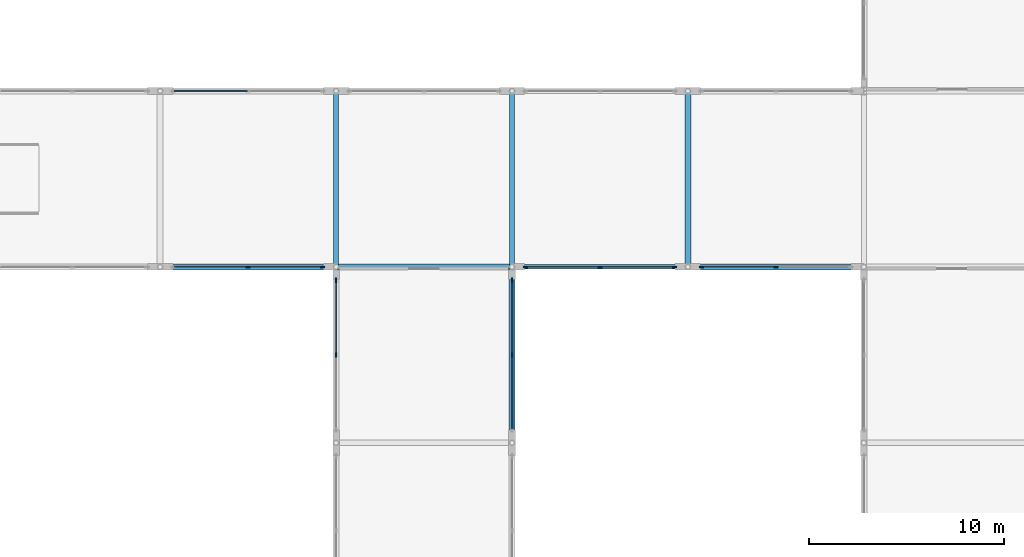
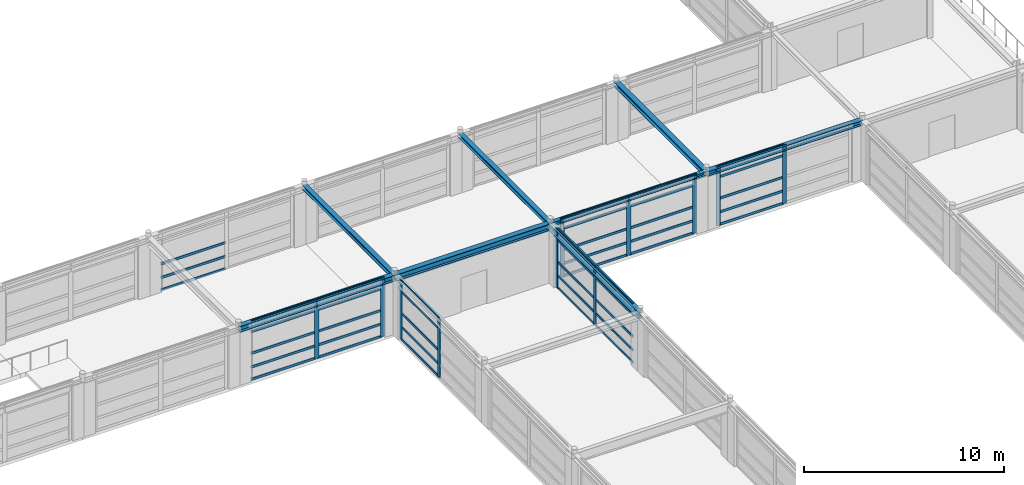
# One storey, part 36 of 79: 54 members, 8 beams, 6 elements without a shape of their own.
"""IFC4 building model written with IfcOpenShell, lengths in metres."""

from ifc_helpers import new_model, si_unit, direction, frame, origin, origin_2d, place, context, subcontext, project, spatial, rectangle, i_section, extrude, material, material_profile, profile_set, type_object, element, aggregate, save


model = new_model("IFC4")

# Units and contexts
model_context = context("Model", 3, precision=1e-05, world=origin(), true_north=direction((0.0, 1.0)))
body_context = subcontext(model_context, "Body", "Model", "MODEL_VIEW")
ifc_project = project(units=[si_unit("LENGTHUNIT", "METRE"), si_unit("AREAUNIT", "SQUARE_METRE"), si_unit("VOLUMEUNIT", "CUBIC_METRE"), si_unit("PLANEANGLEUNIT", "RADIAN"), si_unit("MASSUNIT", "GRAM", prefix="KILO")], contexts=[model_context])

# Site, building, storey
site_placement = place(None, origin())
site = spatial("IfcSite", under=ifc_project, at=site_placement, CompositionType="ELEMENT")
building_placement = place(site_placement, origin())
building = spatial("IfcBuilding", under=site, at=building_placement, Name="Palais des Congres Ocreval", CompositionType="ELEMENT")
storey_placement = place(building_placement, frame((0.0, 0.0, 4.320068359375)))
storey = spatial("IfcBuildingStorey", under=building, at=storey_placement, Name="L01", CompositionType="ELEMENT", Elevation=4.320068359375)

# Curtain wall, members
ifc_material_1 = material(Name="Anodized bronze aluminium and low-E glass", Category="glass")
curtain_wall_type = type_object("IfcCurtainWallType", Name="Unitised Curtain Wall 7900x3660", PredefinedType="USERDEFINED", material=ifc_material_1)
curtain_wall_1_placement = place(storey_placement, origin())
curtain_wall_1 = element("IfcCurtainWall", 1, at=curtain_wall_1_placement, inside=storey, type_object=curtain_wall_type, Name="Unitised Curtain Wall CW02 L01", ObjectType="UNITISED CURTAIN WALL", PredefinedType="USERDEFINED")
ifc_material_2 = material(Name="Anodized bronze aluminium", Category="aluminium")
ifc_material_profile_1 = material_profile(ifc_material_2, rectangle(XDim=0.074951171875, YDim=0.239990234375, at=origin_2d()), Name="ALU 75x240")
ifc_profile_set_1 = profile_set([ifc_material_profile_1], Name="Anodized bronze aluminium")
member_type_1 = type_object("IfcMemberType", Name="Curtain Wall Mullion ALU 75x240", PredefinedType="MULLION", material=ifc_profile_set_1)
member_1_placement = place(storey_placement, frame((94.5, 72.0, 0.0), z_axis=(0.0, 0.0, 1.0), x_axis=(0.0, -1.0, 0.0)))
member_1 = element("IfcMember", 2, at=member_1_placement, type_object=member_type_1, Name="Curtain Wall Mullion ML01", PredefinedType="MULLION", context=body_context, shape_type="SweptSolid", body=[
    extrude(rectangle(XDim=0.074951171875, YDim=0.239990234375, at=origin_2d()), origin(), (0.0, 0.0, 1.0), 3.58984375),
])
member_2_placement = place(storey_placement, frame((90.6875, 72.0, 0.0), z_axis=(0.0, 0.0, 1.0), x_axis=(0.0, -1.0, 0.0)))
member_2 = element("IfcMember", 3, at=member_2_placement, type_object=member_type_1, Name="Curtain Wall Mullion ML01", PredefinedType="MULLION", context=body_context, shape_type="SweptSolid", body=[
    extrude(rectangle(XDim=0.074951171875, YDim=0.239990234375, at=origin_2d()), origin(), (0.0, 0.0, 1.0), 3.58984375),
])

curtain_wall_2_placement = place(storey_placement, origin())
curtain_wall_2 = element("IfcCurtainWall", 4, at=curtain_wall_2_placement, inside=storey, type_object=curtain_wall_type, Name="Unitised Curtain Wall CW02 L01", ObjectType="UNITISED CURTAIN WALL", PredefinedType="USERDEFINED")
member_3_placement = place(storey_placement, frame((89.3125, 72.0, 0.0), z_axis=(0.0, 0.0, 1.0), x_axis=(0.0, -1.0, 0.0)))
member_3 = element("IfcMember", 5, at=member_3_placement, type_object=member_type_1, Name="Curtain Wall Mullion ML01", PredefinedType="MULLION", context=body_context, shape_type="SweptSolid", body=[
    extrude(rectangle(XDim=0.074951171875, YDim=0.239990234375, at=origin_2d()), origin(), (0.0, 0.0, 1.0), 3.58984375),
])
member_4_placement = place(storey_placement, frame((85.5, 72.0, 0.0), z_axis=(0.0, 0.0, 1.0), x_axis=(0.0, -1.0, 0.0)))
member_4 = element("IfcMember", 6, at=member_4_placement, type_object=member_type_1, Name="Curtain Wall Mullion ML01", PredefinedType="MULLION", context=body_context, shape_type="SweptSolid", body=[
    extrude(rectangle(XDim=0.074951171875, YDim=0.239990234375, at=origin_2d()), origin(), (0.0, 0.0, 1.0), 3.58984375),
])
member_5_placement = place(storey_placement, frame((81.6875, 72.0, 0.0), z_axis=(0.0, 0.0, 1.0), x_axis=(0.0, -1.0, 0.0)))
member_5 = element("IfcMember", 7, at=member_5_placement, type_object=member_type_1, Name="Curtain Wall Mullion ML01", PredefinedType="MULLION", context=body_context, shape_type="SweptSolid", body=[
    extrude(rectangle(XDim=0.074951171875, YDim=0.239990234375, at=origin_2d()), origin(), (0.0, 0.0, 1.0), 3.58984375),
])

curtain_wall_3_placement = place(storey_placement, origin())
curtain_wall_3 = element("IfcCurtainWall", 8, at=curtain_wall_3_placement, inside=storey, type_object=curtain_wall_type, Name="Unitised Curtain Wall CW02 L01", ObjectType="UNITISED CURTAIN WALL", PredefinedType="USERDEFINED")
member_6_placement = place(storey_placement, frame((81.0, 71.3125, 0.0), z_axis=(0.0, 0.0, 1.0), x_axis=(1.0, 0.0, 0.0)))
member_6 = element("IfcMember", 9, at=member_6_placement, type_object=member_type_1, Name="Curtain Wall Mullion ML01", PredefinedType="MULLION", context=body_context, shape_type="SweptSolid", body=[
    extrude(rectangle(XDim=0.074951171875, YDim=0.239990234375, at=origin_2d()), origin(), (0.0, 0.0, 1.0), 3.58984375),
])
member_7_placement = place(storey_placement, frame((81.0, 67.5, 0.0), z_axis=(0.0, 0.0, 1.0), x_axis=(1.0, 0.0, 0.0)))
member_7 = element("IfcMember", 10, at=member_7_placement, type_object=member_type_1, Name="Curtain Wall Mullion ML01", PredefinedType="MULLION", context=body_context, shape_type="SweptSolid", body=[
    extrude(rectangle(XDim=0.074951171875, YDim=0.239990234375, at=origin_2d()), origin(), (0.0, 0.0, 1.0), 3.58984375),
])

curtain_wall_4_placement = place(storey_placement, origin())
curtain_wall_4 = element("IfcCurtainWall", 11, at=curtain_wall_4_placement, inside=storey, type_object=curtain_wall_type, Name="Unitised Curtain Wall CW02 L01", ObjectType="UNITISED CURTAIN WALL", PredefinedType="USERDEFINED")
member_8_placement = place(storey_placement, frame((72.0, 67.5, 0.0), z_axis=(0.0, 0.0, 1.0), x_axis=(-1.0, 0.0, 0.0)))
member_8 = element("IfcMember", 12, at=member_8_placement, type_object=member_type_1, Name="Curtain Wall Mullion ML01", PredefinedType="MULLION", context=body_context, shape_type="SweptSolid", body=[
    extrude(rectangle(XDim=0.074951171875, YDim=0.239990234375, at=origin_2d()), origin(), (0.0, 0.0, 1.0), 3.58984375),
])
member_9_placement = place(storey_placement, frame((72.0, 71.3125, 0.0), z_axis=(0.0, 0.0, 1.0), x_axis=(-1.0, 0.0, 0.0)))
member_9 = element("IfcMember", 13, at=member_9_placement, type_object=member_type_1, Name="Curtain Wall Mullion ML01", PredefinedType="MULLION", context=body_context, shape_type="SweptSolid", body=[
    extrude(rectangle(XDim=0.074951171875, YDim=0.239990234375, at=origin_2d()), origin(), (0.0, 0.0, 1.0), 3.58984375),
])

curtain_wall_5_placement = place(storey_placement, origin())
curtain_wall_5 = element("IfcCurtainWall", 14, at=curtain_wall_5_placement, inside=storey, type_object=curtain_wall_type, Name="Unitised Curtain Wall CW02 L01", ObjectType="UNITISED CURTAIN WALL", PredefinedType="USERDEFINED")
member_10_placement = place(storey_placement, frame((71.3125, 72.0, 0.0), z_axis=(0.0, 0.0, 1.0), x_axis=(0.0, -1.0, 0.0)))
member_10 = element("IfcMember", 15, at=member_10_placement, type_object=member_type_1, Name="Curtain Wall Mullion ML01", PredefinedType="MULLION", context=body_context, shape_type="SweptSolid", body=[
    extrude(rectangle(XDim=0.074951171875, YDim=0.239990234375, at=origin_2d()), origin(), (0.0, 0.0, 1.0), 3.58984375),
])
member_11_placement = place(storey_placement, frame((67.5, 72.0, 0.0), z_axis=(0.0, 0.0, 1.0), x_axis=(0.0, -1.0, 0.0)))
member_11 = element("IfcMember", 16, at=member_11_placement, type_object=member_type_1, Name="Curtain Wall Mullion ML01", PredefinedType="MULLION", context=body_context, shape_type="SweptSolid", body=[
    extrude(rectangle(XDim=0.074951171875, YDim=0.239990234375, at=origin_2d()), origin(), (0.0, 0.0, 1.0), 3.58984375),
])

curtain_wall_6_placement = place(storey_placement, origin())
curtain_wall_6 = element("IfcCurtainWall", 17, at=curtain_wall_6_placement, inside=storey, type_object=curtain_wall_type, Name="Unitised Curtain Wall CW02 L01", ObjectType="UNITISED CURTAIN WALL", PredefinedType="USERDEFINED")
ifc_material_profile_2 = material_profile(ifc_material_2, rectangle(XDim=0.06005859375, YDim=0.14990234375, at=origin_2d()), Name="ALU 60x150")
ifc_profile_set_2 = profile_set([ifc_material_profile_2], Name="Anodized bronze aluminium")
member_type_2 = type_object("IfcMemberType", Name="Curtain Wall Transom ALU 60x150", PredefinedType="USERDEFINED", material=ifc_profile_set_2)
member_12_placement = place(storey_placement, frame((63.72509765625, 81.0, 0.030029296875), z_axis=(1.0, 0.0, 0.0), x_axis=(0.0, 1.0, 0.0)))
member_12 = element("IfcMember", 18, at=member_12_placement, type_object=member_type_2, Name="Curtain Wall Transom TR01", ObjectType="TRANSOM", PredefinedType="USERDEFINED", context=body_context, shape_type="SweptSolid", body=[
    extrude(rectangle(XDim=0.06005859375, YDim=0.14990234375, at=origin_2d()), origin(), (0.0, 0.0, 1.0), 3.7373046875),
])
member_13_placement = place(storey_placement, frame((63.72509765625, 81.0, 0.780029296875), z_axis=(1.0, 0.0, 0.0), x_axis=(0.0, 1.0, 0.0)))
member_13 = element("IfcMember", 19, at=member_13_placement, type_object=member_type_2, Name="Curtain Wall Transom TR01", ObjectType="TRANSOM", PredefinedType="USERDEFINED", context=body_context, shape_type="SweptSolid", body=[
    extrude(rectangle(XDim=0.06005859375, YDim=0.14990234375, at=origin_2d()), origin(), (0.0, 0.0, 1.0), 3.7373046875),
])
member_14_placement = place(storey_placement, frame((63.72509765625, 81.0, 1.616943359375), z_axis=(1.0, 0.0, 0.0), x_axis=(0.0, 1.0, 0.0)))
member_14 = element("IfcMember", 20, at=member_14_placement, type_object=member_type_2, Name="Curtain Wall Transom TR01", ObjectType="TRANSOM", PredefinedType="USERDEFINED", context=body_context, shape_type="SweptSolid", body=[
    extrude(rectangle(XDim=0.06005859375, YDim=0.14990234375, at=origin_2d()), origin(), (0.0, 0.0, 1.0), 3.7373046875),
])
aggregate(curtain_wall_6, [member_12, member_13, member_14])

# Member
member_15_placement = place(storey_placement, frame((94.46240234375, 72.0, 0.030029296875), z_axis=(-1.0, 0.0, 0.0), x_axis=(0.0, -1.0, 0.0)))
member_15 = element("IfcMember", 21, at=member_15_placement, type_object=member_type_2, Name="Curtain Wall Transom TR01", ObjectType="TRANSOM", PredefinedType="USERDEFINED", context=body_context, shape_type="SweptSolid", body=[
    extrude(rectangle(XDim=0.06005859375, YDim=0.14990234375, at=origin_2d()), origin(), (0.0, 0.0, 1.0), 3.7373046875),
])

member_16_placement = place(storey_placement, frame((94.46240234375, 72.0, 0.780029296875), z_axis=(-1.0, 0.0, 0.0), x_axis=(0.0, -1.0, 0.0)))
member_16 = element("IfcMember", 22, at=member_16_placement, type_object=member_type_2, Name="Curtain Wall Transom TR01", ObjectType="TRANSOM", PredefinedType="USERDEFINED", context=body_context, shape_type="SweptSolid", body=[
    extrude(rectangle(XDim=0.06005859375, YDim=0.14990234375, at=origin_2d()), origin(), (0.0, 0.0, 1.0), 3.7373046875),
])

member_17_placement = place(storey_placement, frame((94.46240234375, 72.0, 1.616943359375), z_axis=(-1.0, 0.0, 0.0), x_axis=(0.0, -1.0, 0.0)))
member_17 = element("IfcMember", 23, at=member_17_placement, type_object=member_type_2, Name="Curtain Wall Transom TR01", ObjectType="TRANSOM", PredefinedType="USERDEFINED", context=body_context, shape_type="SweptSolid", body=[
    extrude(rectangle(XDim=0.06005859375, YDim=0.14990234375, at=origin_2d()), origin(), (0.0, 0.0, 1.0), 3.7373046875),
])

member_18_placement = place(storey_placement, frame((94.46240234375, 72.0, 2.93994140625), z_axis=(-1.0, 0.0, 0.0), x_axis=(0.0, -1.0, 0.0)))
member_18 = element("IfcMember", 24, at=member_18_placement, type_object=member_type_2, Name="Curtain Wall Transom TR01", ObjectType="TRANSOM", PredefinedType="USERDEFINED", context=body_context, shape_type="SweptSolid", body=[
    extrude(rectangle(XDim=0.06005859375, YDim=0.14990234375, at=origin_2d()), origin(), (0.0, 0.0, 1.0), 3.7373046875),
])

member_19_placement = place(storey_placement, frame((94.46240234375, 72.0, 3.559814453125), z_axis=(-1.0, 0.0, 0.0), x_axis=(0.0, -1.0, 0.0)))
member_19 = element("IfcMember", 25, at=member_19_placement, type_object=member_type_2, Name="Curtain Wall Transom TR01", ObjectType="TRANSOM", PredefinedType="USERDEFINED", context=body_context, shape_type="SweptSolid", body=[
    extrude(rectangle(XDim=0.06005859375, YDim=0.14990234375, at=origin_2d()), origin(), (0.0, 0.0, 1.0), 3.7373046875),
])

aggregate(curtain_wall_1, [member_1, member_2, member_15, member_16, member_17, member_18, member_19])

member_20_placement = place(storey_placement, frame((89.27490234375, 72.0, 0.030029296875), z_axis=(-1.0, 0.0, 0.0), x_axis=(0.0, -1.0, 0.0)))
member_20 = element("IfcMember", 26, at=member_20_placement, type_object=member_type_2, Name="Curtain Wall Transom TR01", ObjectType="TRANSOM", PredefinedType="USERDEFINED", context=body_context, shape_type="SweptSolid", body=[
    extrude(rectangle(XDim=0.06005859375, YDim=0.14990234375, at=origin_2d()), origin(), (0.0, 0.0, 1.0), 3.7373046875),
])

member_21_placement = place(storey_placement, frame((89.27490234375, 72.0, 0.780029296875), z_axis=(-1.0, 0.0, 0.0), x_axis=(0.0, -1.0, 0.0)))
member_21 = element("IfcMember", 27, at=member_21_placement, type_object=member_type_2, Name="Curtain Wall Transom TR01", ObjectType="TRANSOM", PredefinedType="USERDEFINED", context=body_context, shape_type="SweptSolid", body=[
    extrude(rectangle(XDim=0.06005859375, YDim=0.14990234375, at=origin_2d()), origin(), (0.0, 0.0, 1.0), 3.7373046875),
])

member_22_placement = place(storey_placement, frame((89.27490234375, 72.0, 1.616943359375), z_axis=(-1.0, 0.0, 0.0), x_axis=(0.0, -1.0, 0.0)))
member_22 = element("IfcMember", 28, at=member_22_placement, type_object=member_type_2, Name="Curtain Wall Transom TR01", ObjectType="TRANSOM", PredefinedType="USERDEFINED", context=body_context, shape_type="SweptSolid", body=[
    extrude(rectangle(XDim=0.06005859375, YDim=0.14990234375, at=origin_2d()), origin(), (0.0, 0.0, 1.0), 3.7373046875),
])

member_23_placement = place(storey_placement, frame((89.27490234375, 72.0, 2.93994140625), z_axis=(-1.0, 0.0, 0.0), x_axis=(0.0, -1.0, 0.0)))
member_23 = element("IfcMember", 29, at=member_23_placement, type_object=member_type_2, Name="Curtain Wall Transom TR01", ObjectType="TRANSOM", PredefinedType="USERDEFINED", context=body_context, shape_type="SweptSolid", body=[
    extrude(rectangle(XDim=0.06005859375, YDim=0.14990234375, at=origin_2d()), origin(), (0.0, 0.0, 1.0), 3.7373046875),
])

member_24_placement = place(storey_placement, frame((89.27490234375, 72.0, 3.559814453125), z_axis=(-1.0, 0.0, 0.0), x_axis=(0.0, -1.0, 0.0)))
member_24 = element("IfcMember", 30, at=member_24_placement, type_object=member_type_2, Name="Curtain Wall Transom TR01", ObjectType="TRANSOM", PredefinedType="USERDEFINED", context=body_context, shape_type="SweptSolid", body=[
    extrude(rectangle(XDim=0.06005859375, YDim=0.14990234375, at=origin_2d()), origin(), (0.0, 0.0, 1.0), 3.7373046875),
])

member_25_placement = place(storey_placement, frame((85.46240234375, 72.0, 0.030029296875), z_axis=(-1.0, 0.0, 0.0), x_axis=(0.0, -1.0, 0.0)))
member_25 = element("IfcMember", 31, at=member_25_placement, type_object=member_type_2, Name="Curtain Wall Transom TR01", ObjectType="TRANSOM", PredefinedType="USERDEFINED", context=body_context, shape_type="SweptSolid", body=[
    extrude(rectangle(XDim=0.06005859375, YDim=0.14990234375, at=origin_2d()), origin(), (0.0, 0.0, 1.0), 3.7373046875),
])

member_26_placement = place(storey_placement, frame((85.46240234375, 72.0, 0.780029296875), z_axis=(-1.0, 0.0, 0.0), x_axis=(0.0, -1.0, 0.0)))
member_26 = element("IfcMember", 32, at=member_26_placement, type_object=member_type_2, Name="Curtain Wall Transom TR01", ObjectType="TRANSOM", PredefinedType="USERDEFINED", context=body_context, shape_type="SweptSolid", body=[
    extrude(rectangle(XDim=0.06005859375, YDim=0.14990234375, at=origin_2d()), origin(), (0.0, 0.0, 1.0), 3.7373046875),
])

member_27_placement = place(storey_placement, frame((85.46240234375, 72.0, 1.616943359375), z_axis=(-1.0, 0.0, 0.0), x_axis=(0.0, -1.0, 0.0)))
member_27 = element("IfcMember", 33, at=member_27_placement, type_object=member_type_2, Name="Curtain Wall Transom TR01", ObjectType="TRANSOM", PredefinedType="USERDEFINED", context=body_context, shape_type="SweptSolid", body=[
    extrude(rectangle(XDim=0.06005859375, YDim=0.14990234375, at=origin_2d()), origin(), (0.0, 0.0, 1.0), 3.7373046875),
])

member_28_placement = place(storey_placement, frame((85.46240234375, 72.0, 2.93994140625), z_axis=(-1.0, 0.0, 0.0), x_axis=(0.0, -1.0, 0.0)))
member_28 = element("IfcMember", 34, at=member_28_placement, type_object=member_type_2, Name="Curtain Wall Transom TR01", ObjectType="TRANSOM", PredefinedType="USERDEFINED", context=body_context, shape_type="SweptSolid", body=[
    extrude(rectangle(XDim=0.06005859375, YDim=0.14990234375, at=origin_2d()), origin(), (0.0, 0.0, 1.0), 3.7373046875),
])

member_29_placement = place(storey_placement, frame((85.46240234375, 72.0, 3.559814453125), z_axis=(-1.0, 0.0, 0.0), x_axis=(0.0, -1.0, 0.0)))
member_29 = element("IfcMember", 35, at=member_29_placement, type_object=member_type_2, Name="Curtain Wall Transom TR01", ObjectType="TRANSOM", PredefinedType="USERDEFINED", context=body_context, shape_type="SweptSolid", body=[
    extrude(rectangle(XDim=0.06005859375, YDim=0.14990234375, at=origin_2d()), origin(), (0.0, 0.0, 1.0), 3.7373046875),
])

aggregate(curtain_wall_2, [member_3, member_4, member_5, member_20, member_21, member_22, member_23, member_24, member_25, member_26, member_27, member_28, member_29])

member_30_placement = place(storey_placement, frame((81.0, 71.27490234375, 0.030029296875), z_axis=(0.0, -1.0, 0.0), x_axis=(1.0, 0.0, 0.0)))
member_30 = element("IfcMember", 36, at=member_30_placement, type_object=member_type_2, Name="Curtain Wall Transom TR01", ObjectType="TRANSOM", PredefinedType="USERDEFINED", context=body_context, shape_type="SweptSolid", body=[
    extrude(rectangle(XDim=0.06005859375, YDim=0.14990234375, at=origin_2d()), origin(), (0.0, 0.0, 1.0), 3.7373046875),
])

member_31_placement = place(storey_placement, frame((81.0, 71.27490234375, 0.780029296875), z_axis=(0.0, -1.0, 0.0), x_axis=(1.0, 0.0, 0.0)))
member_31 = element("IfcMember", 37, at=member_31_placement, type_object=member_type_2, Name="Curtain Wall Transom TR01", ObjectType="TRANSOM", PredefinedType="USERDEFINED", context=body_context, shape_type="SweptSolid", body=[
    extrude(rectangle(XDim=0.06005859375, YDim=0.14990234375, at=origin_2d()), origin(), (0.0, 0.0, 1.0), 3.7373046875),
])

member_32_placement = place(storey_placement, frame((81.0, 71.27490234375, 1.616943359375), z_axis=(0.0, -1.0, 0.0), x_axis=(1.0, 0.0, 0.0)))
member_32 = element("IfcMember", 38, at=member_32_placement, type_object=member_type_2, Name="Curtain Wall Transom TR01", ObjectType="TRANSOM", PredefinedType="USERDEFINED", context=body_context, shape_type="SweptSolid", body=[
    extrude(rectangle(XDim=0.06005859375, YDim=0.14990234375, at=origin_2d()), origin(), (0.0, 0.0, 1.0), 3.7373046875),
])

member_33_placement = place(storey_placement, frame((81.0, 71.27490234375, 2.93994140625), z_axis=(0.0, -1.0, 0.0), x_axis=(1.0, 0.0, 0.0)))
member_33 = element("IfcMember", 39, at=member_33_placement, type_object=member_type_2, Name="Curtain Wall Transom TR01", ObjectType="TRANSOM", PredefinedType="USERDEFINED", context=body_context, shape_type="SweptSolid", body=[
    extrude(rectangle(XDim=0.06005859375, YDim=0.14990234375, at=origin_2d()), origin(), (0.0, 0.0, 1.0), 3.7373046875),
])

member_34_placement = place(storey_placement, frame((81.0, 71.27490234375, 3.559814453125), z_axis=(0.0, -1.0, 0.0), x_axis=(1.0, 0.0, 0.0)))
member_34 = element("IfcMember", 40, at=member_34_placement, type_object=member_type_2, Name="Curtain Wall Transom TR01", ObjectType="TRANSOM", PredefinedType="USERDEFINED", context=body_context, shape_type="SweptSolid", body=[
    extrude(rectangle(XDim=0.06005859375, YDim=0.14990234375, at=origin_2d()), origin(), (0.0, 0.0, 1.0), 3.7373046875),
])

member_35_placement = place(storey_placement, frame((81.0, 67.46240234375, 0.030029296875), z_axis=(0.0, -1.0, 0.0), x_axis=(1.0, 0.0, 0.0)))
member_35 = element("IfcMember", 41, at=member_35_placement, type_object=member_type_2, Name="Curtain Wall Transom TR01", ObjectType="TRANSOM", PredefinedType="USERDEFINED", context=body_context, shape_type="SweptSolid", body=[
    extrude(rectangle(XDim=0.06005859375, YDim=0.14990234375, at=origin_2d()), origin(), (0.0, 0.0, 1.0), 3.7373046875),
])

member_36_placement = place(storey_placement, frame((81.0, 67.46240234375, 0.780029296875), z_axis=(0.0, -1.0, 0.0), x_axis=(1.0, 0.0, 0.0)))
member_36 = element("IfcMember", 42, at=member_36_placement, type_object=member_type_2, Name="Curtain Wall Transom TR01", ObjectType="TRANSOM", PredefinedType="USERDEFINED", context=body_context, shape_type="SweptSolid", body=[
    extrude(rectangle(XDim=0.06005859375, YDim=0.14990234375, at=origin_2d()), origin(), (0.0, 0.0, 1.0), 3.7373046875),
])

member_37_placement = place(storey_placement, frame((81.0, 67.46240234375, 1.616943359375), z_axis=(0.0, -1.0, 0.0), x_axis=(1.0, 0.0, 0.0)))
member_37 = element("IfcMember", 43, at=member_37_placement, type_object=member_type_2, Name="Curtain Wall Transom TR01", ObjectType="TRANSOM", PredefinedType="USERDEFINED", context=body_context, shape_type="SweptSolid", body=[
    extrude(rectangle(XDim=0.06005859375, YDim=0.14990234375, at=origin_2d()), origin(), (0.0, 0.0, 1.0), 3.7373046875),
])

member_38_placement = place(storey_placement, frame((81.0, 67.46240234375, 2.93994140625), z_axis=(0.0, -1.0, 0.0), x_axis=(1.0, 0.0, 0.0)))
member_38 = element("IfcMember", 44, at=member_38_placement, type_object=member_type_2, Name="Curtain Wall Transom TR01", ObjectType="TRANSOM", PredefinedType="USERDEFINED", context=body_context, shape_type="SweptSolid", body=[
    extrude(rectangle(XDim=0.06005859375, YDim=0.14990234375, at=origin_2d()), origin(), (0.0, 0.0, 1.0), 3.7373046875),
])

member_39_placement = place(storey_placement, frame((81.0, 67.46240234375, 3.559814453125), z_axis=(0.0, -1.0, 0.0), x_axis=(1.0, 0.0, 0.0)))
member_39 = element("IfcMember", 45, at=member_39_placement, type_object=member_type_2, Name="Curtain Wall Transom TR01", ObjectType="TRANSOM", PredefinedType="USERDEFINED", context=body_context, shape_type="SweptSolid", body=[
    extrude(rectangle(XDim=0.06005859375, YDim=0.14990234375, at=origin_2d()), origin(), (0.0, 0.0, 1.0), 3.7373046875),
])

aggregate(curtain_wall_3, [member_6, member_7, member_30, member_31, member_32, member_33, member_34, member_35, member_36, member_37, member_38, member_39])

member_40_placement = place(storey_placement, frame((72.0, 67.53759765625, 0.030029296875), z_axis=(0.0, 1.0, 0.0), x_axis=(-1.0, 0.0, 0.0)))
member_40 = element("IfcMember", 46, at=member_40_placement, type_object=member_type_2, Name="Curtain Wall Transom TR01", ObjectType="TRANSOM", PredefinedType="USERDEFINED", context=body_context, shape_type="SweptSolid", body=[
    extrude(rectangle(XDim=0.06005859375, YDim=0.14990234375, at=origin_2d()), origin(), (0.0, 0.0, 1.0), 3.7373046875),
])

member_41_placement = place(storey_placement, frame((72.0, 67.53759765625, 0.780029296875), z_axis=(0.0, 1.0, 0.0), x_axis=(-1.0, 0.0, 0.0)))
member_41 = element("IfcMember", 47, at=member_41_placement, type_object=member_type_2, Name="Curtain Wall Transom TR01", ObjectType="TRANSOM", PredefinedType="USERDEFINED", context=body_context, shape_type="SweptSolid", body=[
    extrude(rectangle(XDim=0.06005859375, YDim=0.14990234375, at=origin_2d()), origin(), (0.0, 0.0, 1.0), 3.7373046875),
])

member_42_placement = place(storey_placement, frame((72.0, 67.53759765625, 1.616943359375), z_axis=(0.0, 1.0, 0.0), x_axis=(-1.0, 0.0, 0.0)))
member_42 = element("IfcMember", 48, at=member_42_placement, type_object=member_type_2, Name="Curtain Wall Transom TR01", ObjectType="TRANSOM", PredefinedType="USERDEFINED", context=body_context, shape_type="SweptSolid", body=[
    extrude(rectangle(XDim=0.06005859375, YDim=0.14990234375, at=origin_2d()), origin(), (0.0, 0.0, 1.0), 3.7373046875),
])

member_43_placement = place(storey_placement, frame((72.0, 67.53759765625, 2.93994140625), z_axis=(0.0, 1.0, 0.0), x_axis=(-1.0, 0.0, 0.0)))
member_43 = element("IfcMember", 49, at=member_43_placement, type_object=member_type_2, Name="Curtain Wall Transom TR01", ObjectType="TRANSOM", PredefinedType="USERDEFINED", context=body_context, shape_type="SweptSolid", body=[
    extrude(rectangle(XDim=0.06005859375, YDim=0.14990234375, at=origin_2d()), origin(), (0.0, 0.0, 1.0), 3.7373046875),
])

member_44_placement = place(storey_placement, frame((72.0, 67.53759765625, 3.559814453125), z_axis=(0.0, 1.0, 0.0), x_axis=(-1.0, 0.0, 0.0)))
member_44 = element("IfcMember", 50, at=member_44_placement, type_object=member_type_2, Name="Curtain Wall Transom TR01", ObjectType="TRANSOM", PredefinedType="USERDEFINED", context=body_context, shape_type="SweptSolid", body=[
    extrude(rectangle(XDim=0.06005859375, YDim=0.14990234375, at=origin_2d()), origin(), (0.0, 0.0, 1.0), 3.7373046875),
])

aggregate(curtain_wall_4, [member_8, member_9, member_40, member_41, member_42, member_43, member_44])

member_45_placement = place(storey_placement, frame((71.27490234375, 72.0, 0.030029296875), z_axis=(-1.0, 0.0, 0.0), x_axis=(0.0, -1.0, 0.0)))
member_45 = element("IfcMember", 51, at=member_45_placement, type_object=member_type_2, Name="Curtain Wall Transom TR01", ObjectType="TRANSOM", PredefinedType="USERDEFINED", context=body_context, shape_type="SweptSolid", body=[
    extrude(rectangle(XDim=0.06005859375, YDim=0.14990234375, at=origin_2d()), origin(), (0.0, 0.0, 1.0), 3.7373046875),
])

member_46_placement = place(storey_placement, frame((71.27490234375, 72.0, 0.780029296875), z_axis=(-1.0, 0.0, 0.0), x_axis=(0.0, -1.0, 0.0)))
member_46 = element("IfcMember", 52, at=member_46_placement, type_object=member_type_2, Name="Curtain Wall Transom TR01", ObjectType="TRANSOM", PredefinedType="USERDEFINED", context=body_context, shape_type="SweptSolid", body=[
    extrude(rectangle(XDim=0.06005859375, YDim=0.14990234375, at=origin_2d()), origin(), (0.0, 0.0, 1.0), 3.7373046875),
])

member_47_placement = place(storey_placement, frame((71.27490234375, 72.0, 1.616943359375), z_axis=(-1.0, 0.0, 0.0), x_axis=(0.0, -1.0, 0.0)))
member_47 = element("IfcMember", 53, at=member_47_placement, type_object=member_type_2, Name="Curtain Wall Transom TR01", ObjectType="TRANSOM", PredefinedType="USERDEFINED", context=body_context, shape_type="SweptSolid", body=[
    extrude(rectangle(XDim=0.06005859375, YDim=0.14990234375, at=origin_2d()), origin(), (0.0, 0.0, 1.0), 3.7373046875),
])

member_48_placement = place(storey_placement, frame((71.27490234375, 72.0, 2.93994140625), z_axis=(-1.0, 0.0, 0.0), x_axis=(0.0, -1.0, 0.0)))
member_48 = element("IfcMember", 54, at=member_48_placement, type_object=member_type_2, Name="Curtain Wall Transom TR01", ObjectType="TRANSOM", PredefinedType="USERDEFINED", context=body_context, shape_type="SweptSolid", body=[
    extrude(rectangle(XDim=0.06005859375, YDim=0.14990234375, at=origin_2d()), origin(), (0.0, 0.0, 1.0), 3.7373046875),
])

member_49_placement = place(storey_placement, frame((71.27490234375, 72.0, 3.559814453125), z_axis=(-1.0, 0.0, 0.0), x_axis=(0.0, -1.0, 0.0)))
member_49 = element("IfcMember", 55, at=member_49_placement, type_object=member_type_2, Name="Curtain Wall Transom TR01", ObjectType="TRANSOM", PredefinedType="USERDEFINED", context=body_context, shape_type="SweptSolid", body=[
    extrude(rectangle(XDim=0.06005859375, YDim=0.14990234375, at=origin_2d()), origin(), (0.0, 0.0, 1.0), 3.7373046875),
])

member_50_placement = place(storey_placement, frame((67.46240234375, 72.0, 0.030029296875), z_axis=(-1.0, 0.0, 0.0), x_axis=(0.0, -1.0, 0.0)))
member_50 = element("IfcMember", 56, at=member_50_placement, type_object=member_type_2, Name="Curtain Wall Transom TR01", ObjectType="TRANSOM", PredefinedType="USERDEFINED", context=body_context, shape_type="SweptSolid", body=[
    extrude(rectangle(XDim=0.06005859375, YDim=0.14990234375, at=origin_2d()), origin(), (0.0, 0.0, 1.0), 3.7373046875),
])

member_51_placement = place(storey_placement, frame((67.46240234375, 72.0, 0.780029296875), z_axis=(-1.0, 0.0, 0.0), x_axis=(0.0, -1.0, 0.0)))
member_51 = element("IfcMember", 57, at=member_51_placement, type_object=member_type_2, Name="Curtain Wall Transom TR01", ObjectType="TRANSOM", PredefinedType="USERDEFINED", context=body_context, shape_type="SweptSolid", body=[
    extrude(rectangle(XDim=0.06005859375, YDim=0.14990234375, at=origin_2d()), origin(), (0.0, 0.0, 1.0), 3.7373046875),
])

member_52_placement = place(storey_placement, frame((67.46240234375, 72.0, 1.616943359375), z_axis=(-1.0, 0.0, 0.0), x_axis=(0.0, -1.0, 0.0)))
member_52 = element("IfcMember", 58, at=member_52_placement, type_object=member_type_2, Name="Curtain Wall Transom TR01", ObjectType="TRANSOM", PredefinedType="USERDEFINED", context=body_context, shape_type="SweptSolid", body=[
    extrude(rectangle(XDim=0.06005859375, YDim=0.14990234375, at=origin_2d()), origin(), (0.0, 0.0, 1.0), 3.7373046875),
])

member_53_placement = place(storey_placement, frame((67.46240234375, 72.0, 2.93994140625), z_axis=(-1.0, 0.0, 0.0), x_axis=(0.0, -1.0, 0.0)))
member_53 = element("IfcMember", 59, at=member_53_placement, type_object=member_type_2, Name="Curtain Wall Transom TR01", ObjectType="TRANSOM", PredefinedType="USERDEFINED", context=body_context, shape_type="SweptSolid", body=[
    extrude(rectangle(XDim=0.06005859375, YDim=0.14990234375, at=origin_2d()), origin(), (0.0, 0.0, 1.0), 3.7373046875),
])

member_54_placement = place(storey_placement, frame((67.46240234375, 72.0, 3.559814453125), z_axis=(-1.0, 0.0, 0.0), x_axis=(0.0, -1.0, 0.0)))
member_54 = element("IfcMember", 60, at=member_54_placement, type_object=member_type_2, Name="Curtain Wall Transom TR01", ObjectType="TRANSOM", PredefinedType="USERDEFINED", context=body_context, shape_type="SweptSolid", body=[
    extrude(rectangle(XDim=0.06005859375, YDim=0.14990234375, at=origin_2d()), origin(), (0.0, 0.0, 1.0), 3.7373046875),
])

aggregate(curtain_wall_5, [member_10, member_11, member_45, member_46, member_47, member_48, member_49, member_50, member_51, member_52, member_53, member_54])

# Beams
ifc_material_3 = material(Name="Steel S355", Category="steel")
ifc_material_profile_3 = material_profile(ifc_material_3, i_section(OverallWidth=0.260009765625, OverallDepth=0.260009765625, WebThickness=0.010009765625, FlangeThickness=0.017578125, at=origin_2d()), Name="HEB 260")
ifc_profile_set_3 = profile_set([ifc_material_profile_3], Name="Steel S355")
beam_type_1 = type_object("IfcBeamType", Name="Opening Lintel HEB 260 Steel S355", PredefinedType="LINTEL", material=ifc_profile_set_3)
for number, where, z_axis, x_axis, name in (
    (61, (72.0, 72.02001953125, 3.449951171875), (0.0, 1.0, 0.0), (-1.0, 0.0, 0.0), "Girder LN01 L01"),
    (62, (81.0, 72.02001953125, 3.449951171875), (0.0, 1.0, 0.0), (-1.0, 0.0, 0.0), "Girder LN01 L01"),
):
    element("IfcBeam", number, at=place(storey_placement, frame(where, z_axis=z_axis, x_axis=x_axis)), inside=storey, type_object=beam_type_1, Name=name, PredefinedType="LINTEL", context=body_context, shape_type="SweptSolid", body=[
        extrude(i_section(OverallWidth=0.260009765625, OverallDepth=0.260009765625, WebThickness=0.010009765625, FlangeThickness=0.017578125, at=origin_2d()), origin(), (0.0, 0.0, 1.0), 8.9599609375),
    ])
ifc_material_profile_4 = material_profile(ifc_material_3, i_section(OverallWidth=0.239990234375, OverallDepth=0.22998046875, WebThickness=0.007568359375, FlangeThickness=0.011962890625, at=origin_2d()), Name="HEA 240")
ifc_profile_set_4 = profile_set([ifc_material_profile_4], Name="Steel S355")
beam_type_2 = type_object("IfcBeamType", Name="Perimeter Spandrel HEA 240 Steel S355", PredefinedType="SPANDREL", material=ifc_profile_set_4)
beam_1_placement = place(storey_placement, frame((81.02001953125, 72.0, 3.46484375), z_axis=(1.0, 0.0, 0.0), x_axis=(0.0, 1.0, 0.0)))
element("IfcBeam", 63, at=beam_1_placement, inside=storey, type_object=beam_type_2, Name="Beam SP01 L01", PredefinedType="SPANDREL", context=body_context, shape_type="SweptSolid", body=[
    extrude(i_section(OverallWidth=0.239990234375, OverallDepth=0.22998046875, WebThickness=0.007568359375, FlangeThickness=0.011962890625, at=origin_2d()), origin(), (0.0, 0.0, 1.0), 8.9599609375),
])
ifc_material_profile_5 = material_profile(ifc_material_3, i_section(OverallWidth=0.300048828125, OverallDepth=0.300048828125, WebThickness=0.010986328125, FlangeThickness=0.01904296875, at=origin_2d()), Name="HEB 300")
ifc_profile_set_5 = profile_set([ifc_material_profile_5], Name="Steel S355")
beam_type_3 = type_object("IfcBeamType", Name="Perimeter Spandrel HEB 300 Steel S355", PredefinedType="SPANDREL", material=ifc_profile_set_5)
beam_2_placement = place(storey_placement, frame((90.02001953125, 72.0, 3.429931640625), z_axis=(1.0, 0.0, 0.0), x_axis=(0.0, 1.0, 0.0)))
element("IfcBeam", 64, at=beam_2_placement, inside=storey, type_object=beam_type_3, Name="Beam SP02 L01", PredefinedType="SPANDREL", context=body_context, shape_type="SweptSolid", body=[
    extrude(i_section(OverallWidth=0.300048828125, OverallDepth=0.300048828125, WebThickness=0.010986328125, FlangeThickness=0.01904296875, at=origin_2d()), origin(), (0.0, 0.0, 1.0), 8.9599609375),
])
ifc_material_profile_6 = material_profile(ifc_material_3, i_section(OverallWidth=0.300048828125, OverallDepth=0.360107421875, WebThickness=0.012451171875, FlangeThickness=0.0224609375, at=origin_2d()), Name="HEB 360")
ifc_profile_set_6 = profile_set([ifc_material_profile_6], Name="Steel S355")
beam_type_4 = type_object("IfcBeamType", Name="Perimeter Spandrel HEB 360 Steel S355", PredefinedType="SPANDREL", material=ifc_profile_set_6)
beam_3_placement = place(storey_placement, frame((63.02001953125, 72.0, 3.39990234375), z_axis=(1.0, 0.0, 0.0), x_axis=(0.0, 1.0, 0.0)))
element("IfcBeam", 65, at=beam_3_placement, inside=storey, type_object=beam_type_4, Name="Beam SP03 L01", PredefinedType="SPANDREL", context=body_context, shape_type="SweptSolid", body=[
    extrude(i_section(OverallWidth=0.300048828125, OverallDepth=0.360107421875, WebThickness=0.012451171875, FlangeThickness=0.0224609375, at=origin_2d()), origin(), (0.0, 0.0, 1.0), 8.9599609375),
])
ifc_material_profile_7 = material_profile(ifc_material_3, i_section(OverallWidth=0.300048828125, OverallDepth=0.39990234375, WebThickness=0.013427734375, FlangeThickness=0.02392578125, at=origin_2d()), Name="HEB 400")
ifc_profile_set_7 = profile_set([ifc_material_profile_7], Name="Steel S355")
beam_type_5 = type_object("IfcBeamType", Name="Perimeter Spandrel HEB 400 Steel S355", PredefinedType="SPANDREL", material=ifc_profile_set_7)
for number, where, z_axis, x_axis, name in (
    (66, (72.02001953125, 72.0, 3.3798828125), (1.0, 0.0, 0.0), (0.0, 1.0, 0.0), "Beam SP04 L01"),
    (67, (81.0, 63.02001953125, 3.3798828125), (0.0, 1.0, 0.0), (-1.0, 0.0, 0.0), "Girder SP04 L01"),
):
    element("IfcBeam", number, at=place(storey_placement, frame(where, z_axis=z_axis, x_axis=x_axis)), inside=storey, type_object=beam_type_5, Name=name, PredefinedType="SPANDREL", context=body_context, shape_type="SweptSolid", body=[
        extrude(i_section(OverallWidth=0.300048828125, OverallDepth=0.39990234375, WebThickness=0.013427734375, FlangeThickness=0.02392578125, at=origin_2d()), origin(), (0.0, 0.0, 1.0), 8.9599609375),
    ])
ifc_material_profile_8 = material_profile(ifc_material_3, i_section(OverallWidth=0.300048828125, OverallDepth=0.2900390625, WebThickness=0.008544921875, FlangeThickness=0.013916015625, at=origin_2d()), Name="HEA 300")
ifc_profile_set_8 = profile_set([ifc_material_profile_8], Name="Steel S355")
beam_type_6 = type_object("IfcBeamType", Name="Primary Beam HEA 300 Steel S355", PredefinedType="BEAM", material=ifc_profile_set_8)
beam_4_placement = place(storey_placement, frame((90.0, 72.02001953125, 3.434814453125), z_axis=(0.0, 1.0, 0.0), x_axis=(-1.0, 0.0, 0.0)))
element("IfcBeam", 68, at=beam_4_placement, inside=storey, type_object=beam_type_6, Name="Girder B08 L01", PredefinedType="BEAM", context=body_context, shape_type="SweptSolid", body=[
    extrude(i_section(OverallWidth=0.300048828125, OverallDepth=0.2900390625, WebThickness=0.008544921875, FlangeThickness=0.013916015625, at=origin_2d()), origin(), (0.0, 0.0, 1.0), 8.9599609375),
])

save(model, "model.ifc")
